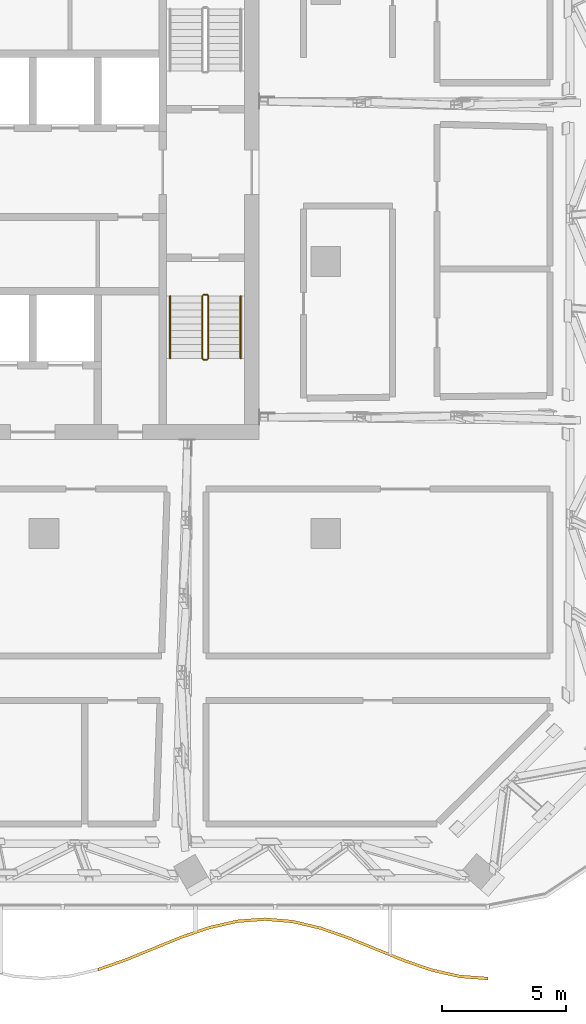
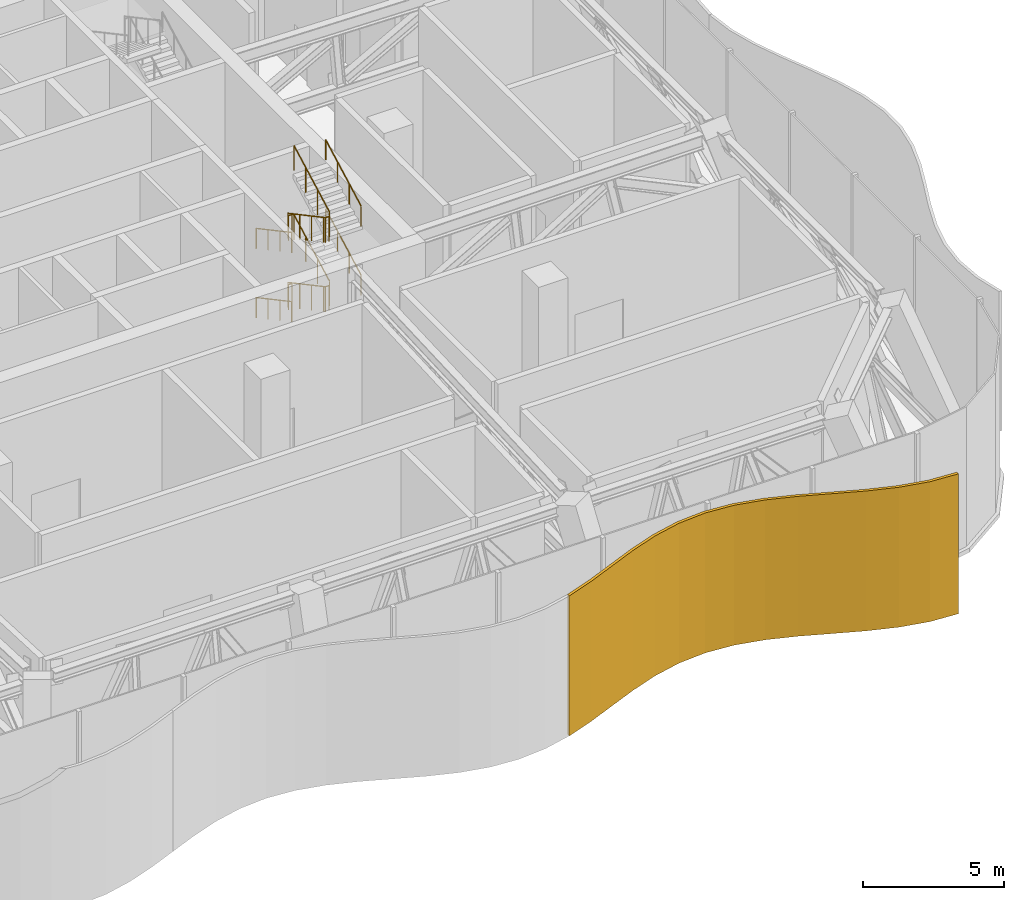
# One storey, part 25 of 29: 9 railings, 1 shading device.
"""IFC4 building model written with IfcOpenShell, lengths in metres."""

import ifcopenshell
import ifcopenshell.guid

model = None  # the IFC model being written
_history = None  # IfcOwnerHistory: only IFC2X3 demands one
_inside = {}  # id of a spatial element -> (the spatial element, [elements in it])
_under = {}  # id of a project, library or spatial element -> (it, [spatial elements below it])
_declared = {}  # id of a project -> (the project, [libraries it declares])
_typed = {}  # id of a type object -> (the type object, [elements of that type])
_made_of = {}  # id of a material, layer set ... -> (it, [elements and type objects made of it])


def new_model(schema):
    """Start an empty IFC model of exactly this schema.

    Asked for "IFC4X3", IfcOpenShell would pick the latest addendum, in which some entities
    have other attributes; the version numbers below select the first issue.
    IFC2X3 requires an IfcOwnerHistory on every rooted entity: one is made here for all.
    """
    global model, _history
    if schema == "IFC4X3":
        model = ifcopenshell.file(schema_version=(4, 3, 0, 0))
    else:
        model = ifcopenshell.file(schema=schema)
    _inside.clear()
    _under.clear()
    _declared.clear()
    _typed.clear()
    _made_of.clear()
    _history = None
    if model.schema == "IFC2X3":
        org = make("IfcOrganization", Name="unknown")
        user = make(
            "IfcPersonAndOrganization",
            ThePerson=make("IfcPerson", FamilyName="unknown"),
            TheOrganization=org,
        )
        app = make(
            "IfcApplication",
            ApplicationDeveloper=org,
            Version="unknown",
            ApplicationFullName="unknown",
            ApplicationIdentifier="unknown",
        )
        _history = make(
            "IfcOwnerHistory",
            OwningUser=user,
            OwningApplication=app,
            ChangeAction="ADDED",
            CreationDate=0,
        )
    return model


def make(cls, **values):
    """One entity of the class cls with the attributes given. An attribute that is None is left unset."""
    return model.create_entity(
        cls, **{name: value for name, value in values.items() if value is not None}
    )


def rooted(cls, **values):
    """An entity with a GlobalId (a new one), such as an element, a storey or a relation."""
    return make(cls, GlobalId=ifcopenshell.guid.new(), OwnerHistory=_history, **values)


def si_unit(unit_type, name, prefix=None):
    """IfcSIUnit, for example si_unit("LENGTHUNIT", "METRE", prefix="MILLI")."""
    return make("IfcSIUnit", UnitType=unit_type, Prefix=prefix, Name=name)


def assignment(units):
    """IfcUnitAssignment: the units of a project."""
    return None if units is None else make("IfcUnitAssignment", Units=units)


def point(xyz):
    """IfcCartesianPoint."""
    return None if xyz is None else make("IfcCartesianPoint", Coordinates=xyz)


def direction(xyz):
    """IfcDirection."""
    return None if xyz is None else make("IfcDirection", DirectionRatios=xyz)


def frame(location, z_axis=None, x_axis=None):
    """IfcAxis2Placement3D, a coordinate frame: its origin and axes. An axis left out is left unset."""
    return make(
        "IfcAxis2Placement3D",
        Location=point(location),
        Axis=direction(z_axis),
        RefDirection=direction(x_axis),
    )


def frame_2d(location, x_axis=None):
    """IfcAxis2Placement2D, a coordinate frame in the plane: its origin and x axis."""
    return make(
        "IfcAxis2Placement2D", Location=point(location), RefDirection=direction(x_axis)
    )


def origin():
    """The frame at (0, 0, 0) with its axes left unset."""
    return frame((0.0, 0.0, 0.0))


def origin_2d():
    """The frame at (0, 0) in the plane with its x axis left unset."""
    return frame_2d((0.0, 0.0))


def place(relative_to, where):
    """IfcLocalPlacement: puts the frame where relative to a parent placement (None: the world)."""
    return make(
        "IfcLocalPlacement", PlacementRelTo=relative_to, RelativePlacement=where
    )


def context(
    kind, dimensions, precision=None, world=None, true_north=None, identifier=None
):
    """IfcGeometricRepresentationContext, for example the 3D "Model" context."""
    return make(
        "IfcGeometricRepresentationContext",
        ContextIdentifier=identifier,
        ContextType=kind,
        CoordinateSpaceDimension=dimensions,
        Precision=precision,
        WorldCoordinateSystem=world,
        TrueNorth=true_north,
    )


def subcontext(parent, identifier, kind, view, scale=None):
    """IfcGeometricRepresentationSubContext, for example "Body" below "Model"."""
    return make(
        "IfcGeometricRepresentationSubContext",
        ContextIdentifier=identifier,
        ContextType=kind,
        ParentContext=parent,
        TargetScale=scale,
        TargetView=view,
    )


def project(units=None, contexts=None):
    """IfcProject with its units and contexts."""
    return rooted(
        "IfcProject",
        Name="project",
        RepresentationContexts=contexts,
        UnitsInContext=assignment(units),
    )


def spatial(cls, under=None, at=None, **own):
    """A site, building, storey or space (cls), placed at a placement, below another one or the project."""
    s = rooted(cls, ObjectPlacement=at, **own)
    if under is not None:
        _under.setdefault(under.id(), (under, []))[1].append(s)
    return s


def polyline(points):
    """IfcPolyline through the points."""
    return make("IfcPolyline", Points=[point(p) for p in points])


def profile(cls, at=None, kind="AREA", **sizes):
    """A parametric profile (cls). Its sizes go by their IFC names, for example OverallWidth=200.0."""
    return make(cls, ProfileType=kind, Position=at, **sizes)


def circle(**sizes):
    """IfcCircleProfileDef."""
    return profile("IfcCircleProfileDef", **sizes)


def outline(outer, holes=None, kind="AREA"):
    """IfcArbitraryClosedProfileDef: a profile drawn as a closed curve; with holes, ...WithVoids."""
    if holes is None:
        return make("IfcArbitraryClosedProfileDef", ProfileType=kind, OuterCurve=outer)
    return make(
        "IfcArbitraryProfileDefWithVoids",
        ProfileType=kind,
        OuterCurve=outer,
        InnerCurves=holes,
    )


def extrude(swept, where, along, depth):
    """IfcExtrudedAreaSolid: the profile swept, set in the frame where, extruded along a direction by depth."""
    return make(
        "IfcExtrudedAreaSolid",
        SweptArea=swept,
        Position=where,
        ExtrudedDirection=direction(along),
        Depth=depth,
    )


def shape(context_of_items, identifier, shape_type, items):
    """IfcShapeRepresentation: the items that make up one representation, for example the "Body"."""
    return make(
        "IfcShapeRepresentation",
        ContextOfItems=context_of_items,
        RepresentationIdentifier=identifier,
        RepresentationType=shape_type,
        Items=items,
    )


def material(Name=None, Category=None):
    """IfcMaterial."""
    return make("IfcMaterial", Name=Name, Category=Category)


def layer(
    of_material, thickness, ventilated=None, Name=None, Category=None, Priority=None
):
    """IfcMaterialLayer: one layer of a wall or slab, of a material (None: an air gap)."""
    return make(
        "IfcMaterialLayer",
        Material=of_material,
        LayerThickness=thickness,
        IsVentilated=ventilated,
        Name=Name,
        Category=Category,
        Priority=Priority,
    )


def layer_set(layers, Name=None):
    """IfcMaterialLayerSet."""
    return make("IfcMaterialLayerSet", MaterialLayers=layers, LayerSetName=Name)


def made_of(thing, what):
    """Note that an element or type object is made of a material, layer set ...; save() writes the relation."""
    if what is not None:
        _made_of.setdefault(what.id(), (what, []))[1].append(thing)
    return thing


def type_object(cls, material=None, **own):
    """A type object (cls), such as IfcWallType, which elements share."""
    return made_of(rooted(cls, **own), material)


def element(
    cls,
    number,
    at=None,
    inside=None,
    cuts=None,
    type_object=None,
    material=None,
    context=None,
    identifier="Body",
    shape_type=None,
    held_by="IfcProductDefinitionShape",
    body=None,
    shapes=None,
    **own,
):
    """One element of the class cls, such as IfcWall. Its Tag is "e" and its number.

    at: its placement. inside: the storey or other place that contains it. cuts: it is an
    opening in that element (IfcRelVoidsElement). A single representation is given by context,
    identifier, shape_type and body (its items); several are given by shapes. held_by: the class
    of the entity that holds the representations. save() writes the other relations.
    """
    e = rooted(cls, Tag="e%d" % number, ObjectPlacement=at, **own)
    if body is not None:
        shapes = [shape(context, identifier, shape_type, body)]
    if shapes is not None:
        e.Representation = make(held_by, Representations=shapes)
    if inside is not None:
        _inside.setdefault(inside.id(), (inside, []))[1].append(e)
    if cuts is not None:
        rooted(
            "IfcRelVoidsElement", RelatingBuildingElement=cuts, RelatedOpeningElement=e
        )
    if type_object is not None:
        _typed.setdefault(type_object.id(), (type_object, []))[1].append(e)
    return made_of(e, material)


def aggregate(whole, parts):
    """IfcRelAggregates: a whole, such as a stair, and the parts it consists of."""
    return rooted("IfcRelAggregates", RelatingObject=whole, RelatedObjects=parts)


def save(model, path):
    """Write the relations noted so far, then the file.

    IfcRelAggregates (storeys below a building ...), IfcRelContainedInSpatialStructure (elements
    in a storey), IfcRelDefinesByType, IfcRelAssociatesMaterial and IfcRelDeclares: one each for
    every whole, place, type object, material and project.
    """
    for whole, parts in _under.values():
        aggregate(whole, parts)
    for where, things in _inside.values():
        rooted(
            "IfcRelContainedInSpatialStructure",
            RelatedElements=things,
            RelatingStructure=where,
        )
    for kind, things in _typed.values():
        rooted("IfcRelDefinesByType", RelatedObjects=things, RelatingType=kind)
    for what, things in _made_of.values():
        rooted("IfcRelAssociatesMaterial", RelatedObjects=things, RelatingMaterial=what)
    for by, libraries in _declared.values():
        rooted("IfcRelDeclares", RelatingContext=by, RelatedDefinitions=libraries)
    model.write(path)


model = new_model("IFC4")

# Units and contexts
model_context = context("Model", 3, precision=1e-05, world=origin(), true_north=direction((0.0, 1.0)))
body_context = subcontext(model_context, "Body", "Model", "MODEL_VIEW")
ifc_project = project(units=[si_unit("LENGTHUNIT", "METRE"), si_unit("AREAUNIT", "SQUARE_METRE"), si_unit("VOLUMEUNIT", "CUBIC_METRE"), si_unit("PLANEANGLEUNIT", "RADIAN"), si_unit("MASSUNIT", "GRAM", prefix="KILO")], contexts=[model_context])

# Site, building, storey
site_placement = place(None, origin())
site = spatial("IfcSite", under=ifc_project, at=site_placement, CompositionType="ELEMENT")
building_placement = place(site_placement, origin())
building = spatial("IfcBuilding", under=site, at=building_placement, Name="Mopane Tessera Tower", CompositionType="ELEMENT")
storey_placement = place(building_placement, frame((0.0, 0.0, 315.39990234375)))
storey = spatial("IfcBuildingStorey", under=building, at=storey_placement, Name="L69", CompositionType="ELEMENT", Elevation=315.39990234375)

# Railings
ifc_material_1 = material(Name="Powder-coated steel balustrade", Category="steel")
railing_type_1 = type_object("IfcRailingType", Name="Escape stair guard 1100 mm", PredefinedType="GUARDRAIL", material=ifc_material_1)
railing_1_placement = place(storey_placement, frame((12.10009765625, -1.39990234375, 0.150146484375)))
element("IfcRailing", 1, at=railing_1_placement, inside=storey, type_object=railing_type_1, Name="L69 ST3 stair guard 1", PredefinedType="GUARDRAIL", context=body_context, shape_type="SweptSolid", body=[
    extrude(circle(Radius=0.02392578125, at=origin_2d()), frame((0.0, 0.0, 1.076171875), z_axis=(0.0, -0.88150282143, 0.472178754087), x_axis=(1.0, 0.0, 0.0)), (0.0, 0.0, 1.0), 2.85888671875),
    extrude(circle(Radius=0.02392578125, at=origin_2d()), frame((0.0, -2.52001953125, 2.42578125), z_axis=(0.705375805398, -0.708833529934, 0.0), x_axis=(0.708833529934, 0.705375805398, 0.0)), (0.0, 0.0, 1.0), 0.070556640625),
    extrude(circle(Radius=0.02392578125, at=origin_2d()), frame((0.0498046875, -2.570068359375, 2.42578125), z_axis=(1.0, 0.0, 0.0), x_axis=(0.0, 1.0, 0.0)), (0.0, 0.0, 1.0), 0.150146484375),
    extrude(circle(Radius=0.02099609375, at=origin_2d()), origin(), (0.0, 0.0, 1.0), 1.052001953125),
    extrude(circle(Radius=0.02099609375, at=origin_2d()), frame((0.0, -0.840087890625, 0.449951171875)), (0.0, 0.0, 1.0), 1.052001953125),
    extrude(circle(Radius=0.02099609375, at=origin_2d()), frame((0.0, -1.679931640625, 0.89990234375)), (0.0, 0.0, 1.0), 1.052001953125),
    extrude(circle(Radius=0.02099609375, at=origin_2d()), frame((0.0, -2.52001953125, 1.349853515625)), (0.0, 0.0, 1.0), 1.052001953125),
    extrude(circle(Radius=0.02099609375, at=origin_2d()), frame((0.0498046875, -2.570068359375, 1.349853515625)), (0.0, 0.0, 1.0), 1.052001953125),
    extrude(circle(Radius=0.02099609375, at=origin_2d()), frame((0.199951171875, -2.570068359375, 1.349853515625)), (0.0, 0.0, 1.0), 1.052001953125),
])
railing_2_placement = place(storey_placement, frame((12.35009765625, -3.919921875, 1.650146484375)))
element("IfcRailing", 2, at=railing_2_placement, inside=storey, type_object=railing_type_1, Name="L69 ST3 stair guard 2", PredefinedType="GUARDRAIL", context=body_context, shape_type="SweptSolid", body=[
    extrude(circle(Radius=0.02392578125, at=origin_2d()), frame((0.0, 0.0, 1.076171875), z_axis=(0.0, 0.88150282143, 0.472178754087), x_axis=(-1.0, 0.0, 0.0)), (0.0, 0.0, 1.0), 2.85888671875),
    extrude(circle(Radius=0.02392578125, at=origin_2d()), frame((0.0, 2.52001953125, 2.42578125), z_axis=(-0.708833529934, 0.705375805398, 0.0), x_axis=(-0.705375805398, -0.708833529934, 0.0)), (0.0, 0.0, 1.0), 0.070556640625),
    extrude(circle(Radius=0.02392578125, at=origin_2d()), frame((-0.050048828125, 2.56982421875, 2.42578125), z_axis=(-1.0, 0.0, 0.0), x_axis=(0.0, -1.0, 0.0)), (0.0, 0.0, 1.0), 0.150146484375),
    extrude(circle(Radius=0.02099609375, at=origin_2d()), origin(), (0.0, 0.0, 1.0), 1.052001953125),
    extrude(circle(Radius=0.02099609375, at=origin_2d()), frame((0.0, 0.840087890625, 0.449951171875)), (0.0, 0.0, 1.0), 1.052001953125),
    extrude(circle(Radius=0.02099609375, at=origin_2d()), frame((0.0, 1.679931640625, 0.89990234375)), (0.0, 0.0, 1.0), 1.052001953125),
    extrude(circle(Radius=0.02099609375, at=origin_2d()), frame((0.0, 2.52001953125, 1.349853515625)), (0.0, 0.0, 1.0), 1.052001953125),
    extrude(circle(Radius=0.02099609375, at=origin_2d()), frame((-0.050048828125, 2.56982421875, 1.349853515625)), (0.0, 0.0, 1.0), 1.052001953125),
    extrude(circle(Radius=0.02099609375, at=origin_2d()), frame((-0.2001953125, 2.56982421875, 1.349853515625)), (0.0, 0.0, 1.0), 1.052001953125),
])
railing_3_placement = place(storey_placement, frame((12.10009765625, -1.39990234375, 3.150146484375)))
element("IfcRailing", 3, at=railing_3_placement, inside=storey, type_object=railing_type_1, Name="L69 ST3 stair guard 3", PredefinedType="GUARDRAIL", context=body_context, shape_type="SweptSolid", body=[
    extrude(circle(Radius=0.02392578125, at=origin_2d()), frame((0.0, 0.0, 1.076171875), z_axis=(0.0, -0.88150282143, 0.472178754087), x_axis=(1.0, 0.0, 0.0)), (0.0, 0.0, 1.0), 2.85888671875),
    extrude(circle(Radius=0.02392578125, at=origin_2d()), frame((0.0, -2.52001953125, 2.42578125), z_axis=(0.705375805398, -0.708833529934, 0.0), x_axis=(0.708833529934, 0.705375805398, 0.0)), (0.0, 0.0, 1.0), 0.070556640625),
    extrude(circle(Radius=0.02392578125, at=origin_2d()), frame((0.0498046875, -2.570068359375, 2.42578125), z_axis=(1.0, 0.0, 0.0), x_axis=(0.0, 1.0, 0.0)), (0.0, 0.0, 1.0), 0.150146484375),
    extrude(circle(Radius=0.02099609375, at=origin_2d()), origin(), (0.0, 0.0, 1.0), 1.052001953125),
    extrude(circle(Radius=0.02099609375, at=origin_2d()), frame((0.0, -0.840087890625, 0.449951171875)), (0.0, 0.0, 1.0), 1.052001953125),
    extrude(circle(Radius=0.02099609375, at=origin_2d()), frame((0.0, -1.679931640625, 0.89990234375)), (0.0, 0.0, 1.0), 1.052001953125),
    extrude(circle(Radius=0.02099609375, at=origin_2d()), frame((0.0, -2.52001953125, 1.349853515625)), (0.0, 0.0, 1.0), 1.052001953125),
    extrude(circle(Radius=0.02099609375, at=origin_2d()), frame((0.0498046875, -2.570068359375, 1.349853515625)), (0.0, 0.0, 1.0), 1.052001953125),
    extrude(circle(Radius=0.02099609375, at=origin_2d()), frame((0.199951171875, -2.570068359375, 1.349853515625)), (0.0, 0.0, 1.0), 1.052001953125),
])
railing_4_placement = place(storey_placement, frame((12.35009765625, -3.919921875, 4.650146484375)))
element("IfcRailing", 4, at=railing_4_placement, inside=storey, type_object=railing_type_1, Name="L69 ST3 stair guard 4", PredefinedType="GUARDRAIL", context=body_context, shape_type="SweptSolid", body=[
    extrude(circle(Radius=0.02392578125, at=origin_2d()), frame((0.0, 0.0, 1.076171875), z_axis=(0.0, 0.88150282143, 0.472178754087), x_axis=(-1.0, 0.0, 0.0)), (0.0, 0.0, 1.0), 2.85888671875),
    extrude(circle(Radius=0.02099609375, at=origin_2d()), origin(), (0.0, 0.0, 1.0), 1.052001953125),
    extrude(circle(Radius=0.02099609375, at=origin_2d()), frame((0.0, 0.840087890625, 0.449951171875)), (0.0, 0.0, 1.0), 1.052001953125),
    extrude(circle(Radius=0.02099609375, at=origin_2d()), frame((0.0, 1.679931640625, 0.89990234375)), (0.0, 0.0, 1.0), 1.052001953125),
    extrude(circle(Radius=0.02099609375, at=origin_2d()), frame((0.0, 2.52001953125, 1.349853515625)), (0.0, 0.0, 1.0), 1.052001953125),
])
railing_5_placement = place(storey_placement, frame((12.14990234375, -1.35009765625, 0.0)))
element("IfcRailing", 5, at=railing_5_placement, inside=storey, type_object=railing_type_1, Name="L69 ST3 stair guard 5", PredefinedType="GUARDRAIL", context=body_context, shape_type="SweptSolid", body=[
    extrude(circle(Radius=0.02392578125, at=origin_2d()), frame((0.0, 0.0, 1.076171875), z_axis=(1.0, 0.0, 0.0), x_axis=(0.0, 1.0, 0.0)), (0.0, 0.0, 1.0), 0.150146484375),
    extrude(circle(Radius=0.02099609375, at=origin_2d()), origin(), (0.0, 0.0, 1.0), 1.052001953125),
    extrude(circle(Radius=0.02099609375, at=origin_2d()), frame((0.150146484375, 0.0, 0.0)), (0.0, 0.0, 1.0), 1.052001953125),
])
ifc_material_2 = material(Name="Powder-coated steel balustrade", Category="steel")
railing_type_2 = type_object("IfcRailingType", Name="Escape stair handrail 900 mm", PredefinedType="HANDRAIL", material=ifc_material_2)
railing_6_placement = place(storey_placement, frame((10.800048828125, -1.39990234375, 0.150146484375)))
element("IfcRailing", 6, at=railing_6_placement, inside=storey, type_object=railing_type_2, Name="L69 ST3 stair handrail 1", PredefinedType="HANDRAIL", context=body_context, shape_type="SweptSolid", body=[
    extrude(circle(Radius=0.02392578125, at=origin_2d()), frame((0.0, 0.0, 0.8759765625), z_axis=(0.0, -0.88150282143, 0.472178754087), x_axis=(1.0, 0.0, 0.0)), (0.0, 0.0, 1.0), 2.85888671875),
    extrude(circle(Radius=0.02099609375, at=origin_2d()), origin(), (0.0, 0.0, 1.0), 0.851806640625),
    extrude(circle(Radius=0.02099609375, at=origin_2d()), frame((0.0, -0.840087890625, 0.449951171875)), (0.0, 0.0, 1.0), 0.851806640625),
    extrude(circle(Radius=0.02099609375, at=origin_2d()), frame((0.0, -1.679931640625, 0.89990234375)), (0.0, 0.0, 1.0), 0.851806640625),
    extrude(circle(Radius=0.02099609375, at=origin_2d()), frame((0.0, -2.52001953125, 1.349853515625)), (0.0, 0.0, 1.0), 0.851806640625),
])
railing_7_placement = place(storey_placement, frame((13.64990234375, -3.919921875, 1.650146484375)))
element("IfcRailing", 7, at=railing_7_placement, inside=storey, type_object=railing_type_2, Name="L69 ST3 stair handrail 2", PredefinedType="HANDRAIL", context=body_context, shape_type="SweptSolid", body=[
    extrude(circle(Radius=0.02392578125, at=origin_2d()), frame((0.0, 0.0, 0.8759765625), z_axis=(0.0, 0.88150282143, 0.472178754087), x_axis=(-1.0, 0.0, 0.0)), (0.0, 0.0, 1.0), 2.85888671875),
    extrude(circle(Radius=0.02099609375, at=origin_2d()), origin(), (0.0, 0.0, 1.0), 0.851806640625),
    extrude(circle(Radius=0.02099609375, at=origin_2d()), frame((0.0, 0.840087890625, 0.449951171875)), (0.0, 0.0, 1.0), 0.851806640625),
    extrude(circle(Radius=0.02099609375, at=origin_2d()), frame((0.0, 1.679931640625, 0.89990234375)), (0.0, 0.0, 1.0), 0.851806640625),
    extrude(circle(Radius=0.02099609375, at=origin_2d()), frame((0.0, 2.52001953125, 1.349853515625)), (0.0, 0.0, 1.0), 0.851806640625),
])
railing_8_placement = place(storey_placement, frame((10.800048828125, -1.39990234375, 3.150146484375)))
element("IfcRailing", 8, at=railing_8_placement, inside=storey, type_object=railing_type_2, Name="L69 ST3 stair handrail 3", PredefinedType="HANDRAIL", context=body_context, shape_type="SweptSolid", body=[
    extrude(circle(Radius=0.02392578125, at=origin_2d()), frame((0.0, 0.0, 0.8759765625), z_axis=(0.0, -0.88150282143, 0.472178754087), x_axis=(1.0, 0.0, 0.0)), (0.0, 0.0, 1.0), 2.85888671875),
    extrude(circle(Radius=0.02099609375, at=origin_2d()), origin(), (0.0, 0.0, 1.0), 0.851806640625),
    extrude(circle(Radius=0.02099609375, at=origin_2d()), frame((0.0, -0.840087890625, 0.449951171875)), (0.0, 0.0, 1.0), 0.851806640625),
    extrude(circle(Radius=0.02099609375, at=origin_2d()), frame((0.0, -1.679931640625, 0.89990234375)), (0.0, 0.0, 1.0), 0.851806640625),
    extrude(circle(Radius=0.02099609375, at=origin_2d()), frame((0.0, -2.52001953125, 1.349853515625)), (0.0, 0.0, 1.0), 0.851806640625),
])
railing_9_placement = place(storey_placement, frame((13.64990234375, -3.919921875, 4.650146484375)))
element("IfcRailing", 9, at=railing_9_placement, inside=storey, type_object=railing_type_2, Name="L69 ST3 stair handrail 4", PredefinedType="HANDRAIL", context=body_context, shape_type="SweptSolid", body=[
    extrude(circle(Radius=0.02392578125, at=origin_2d()), frame((0.0, 0.0, 0.8759765625), z_axis=(0.0, 0.88150282143, 0.472178754087), x_axis=(-1.0, 0.0, 0.0)), (0.0, 0.0, 1.0), 2.85888671875),
    extrude(circle(Radius=0.02099609375, at=origin_2d()), origin(), (0.0, 0.0, 1.0), 0.851806640625),
    extrude(circle(Radius=0.02099609375, at=origin_2d()), frame((0.0, 0.840087890625, 0.449951171875)), (0.0, 0.0, 1.0), 0.851806640625),
    extrude(circle(Radius=0.02099609375, at=origin_2d()), frame((0.0, 1.679931640625, 0.89990234375)), (0.0, 0.0, 1.0), 0.851806640625),
    extrude(circle(Radius=0.02099609375, at=origin_2d()), frame((0.0, 2.52001953125, 1.349853515625)), (0.0, 0.0, 1.0), 0.851806640625),
])

# Shading device
ifc_material_3 = material(Name="Anodised aluminium louvre blades", Category="aluminium")
ifc_layer = layer(ifc_material_3, 0.1201171875)
ifc_layer_set = layer_set([ifc_layer], Name="Anodised aluminium louvre blades")
shading_device_type = type_object("IfcShadingDeviceType", Name="Wave louvre screen", PredefinedType="JALOUSIE", material=ifc_layer_set)
shading_device_placement = place(storey_placement, frame((0.0, 0.0, -0.419921875)))
element("IfcShadingDevice", 10, at=shading_device_placement, inside=storey, type_object=shading_device_type, Name="e:lv:L69:S:2", PredefinedType="JALOUSIE", context=body_context, shape_type="SweptSolid", body=[
    extrude(outline(polyline([(7.88330078125, -28.57861328125), (9.009521484375, -28.185791015625), (10.1357421875, -27.72509765625), (11.261962890625, -27.2666015625), (12.38818359375, -26.88037109375), (13.514404296875, -26.625244140625), (14.640380859375, -26.5400390625), (15.7666015625, -26.63818359375), (16.892822265625, -26.904296875), (18.01904296875, -27.2978515625), (19.145263671875, -27.759033203125), (20.271484375, -28.217041015625), (21.397705078125, -28.6025390625), (22.52392578125, -28.856201171875), (23.64990234375, -28.939697265625), (23.64990234375, -29.059814453125), (22.52392578125, -28.976318359375), (21.397705078125, -28.722412109375), (20.271484375, -28.337158203125), (19.145263671875, -27.87890625), (18.01904296875, -27.41796875), (16.892822265625, -27.024169921875), (15.7666015625, -26.758056640625), (14.640380859375, -26.66015625), (13.514404296875, -26.7451171875), (12.38818359375, -27.000244140625), (11.261962890625, -27.386474609375), (10.1357421875, -27.844970703125), (9.009521484375, -28.305908203125), (7.88330078125, -28.698486328125), (7.88330078125, -28.57861328125)])), origin(), (0.0, 0.0, 1.0), 6.070068359375),
])

save(model, "model.ifc")
